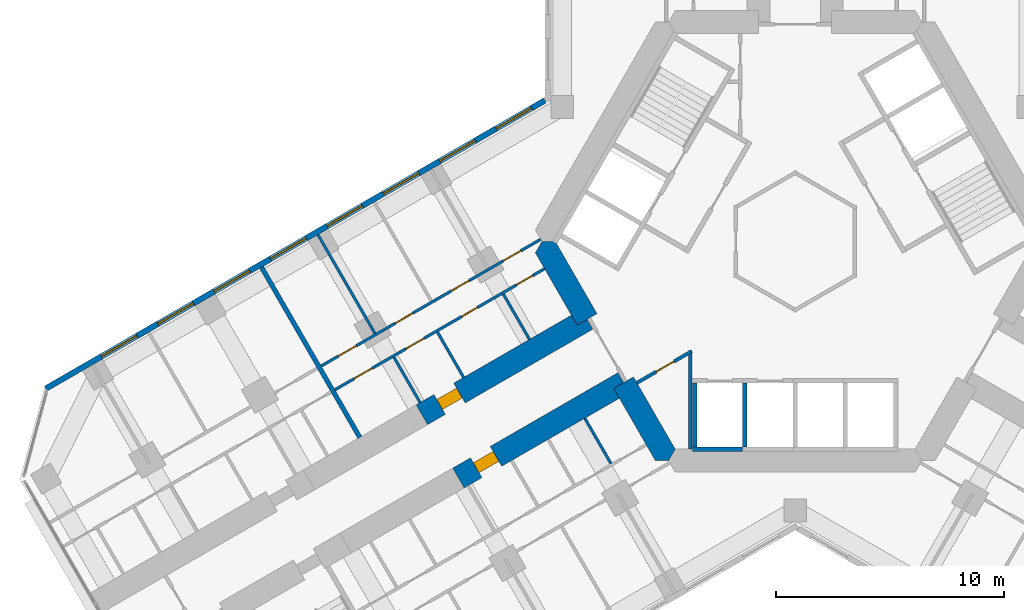
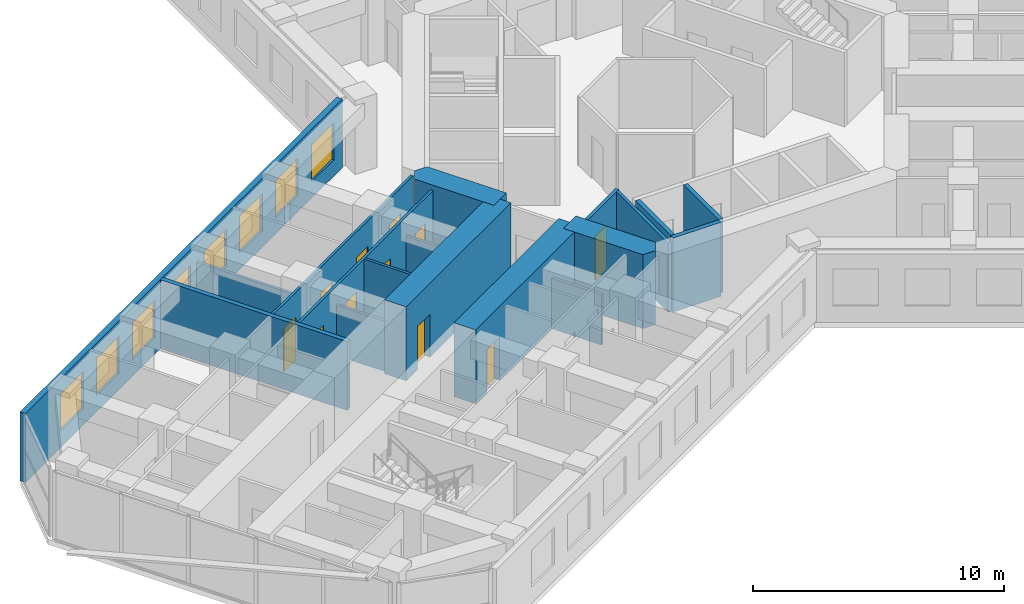
# One storey, part 12 of 21: 18 walls, 11 doors, 8 windows, 19 openings.
"""IFC4 building model written with IfcOpenShell, lengths in metres."""

import ifcopenshell
import ifcopenshell.guid

model = None  # the IFC model being written
_history = None  # IfcOwnerHistory: only IFC2X3 demands one
_inside = {}  # id of a spatial element -> (the spatial element, [elements in it])
_under = {}  # id of a project, library or spatial element -> (it, [spatial elements below it])
_declared = {}  # id of a project -> (the project, [libraries it declares])
_typed = {}  # id of a type object -> (the type object, [elements of that type])
_made_of = {}  # id of a material, layer set ... -> (it, [elements and type objects made of it])


def new_model(schema):
    """Start an empty IFC model of exactly this schema.

    Asked for "IFC4X3", IfcOpenShell would pick the latest addendum, in which some entities
    have other attributes; the version numbers below select the first issue.
    IFC2X3 requires an IfcOwnerHistory on every rooted entity: one is made here for all.
    """
    global model, _history
    if schema == "IFC4X3":
        model = ifcopenshell.file(schema_version=(4, 3, 0, 0))
    else:
        model = ifcopenshell.file(schema=schema)
    _inside.clear()
    _under.clear()
    _declared.clear()
    _typed.clear()
    _made_of.clear()
    _history = None
    if model.schema == "IFC2X3":
        org = make("IfcOrganization", Name="unknown")
        user = make(
            "IfcPersonAndOrganization",
            ThePerson=make("IfcPerson", FamilyName="unknown"),
            TheOrganization=org,
        )
        app = make(
            "IfcApplication",
            ApplicationDeveloper=org,
            Version="unknown",
            ApplicationFullName="unknown",
            ApplicationIdentifier="unknown",
        )
        _history = make(
            "IfcOwnerHistory",
            OwningUser=user,
            OwningApplication=app,
            ChangeAction="ADDED",
            CreationDate=0,
        )
    return model


def make(cls, **values):
    """One entity of the class cls with the attributes given. An attribute that is None is left unset."""
    return model.create_entity(
        cls, **{name: value for name, value in values.items() if value is not None}
    )


def rooted(cls, **values):
    """An entity with a GlobalId (a new one), such as an element, a storey or a relation."""
    return make(cls, GlobalId=ifcopenshell.guid.new(), OwnerHistory=_history, **values)


def si_unit(unit_type, name, prefix=None):
    """IfcSIUnit, for example si_unit("LENGTHUNIT", "METRE", prefix="MILLI")."""
    return make("IfcSIUnit", UnitType=unit_type, Prefix=prefix, Name=name)


def assignment(units):
    """IfcUnitAssignment: the units of a project."""
    return None if units is None else make("IfcUnitAssignment", Units=units)


def point(xyz):
    """IfcCartesianPoint."""
    return None if xyz is None else make("IfcCartesianPoint", Coordinates=xyz)


def direction(xyz):
    """IfcDirection."""
    return None if xyz is None else make("IfcDirection", DirectionRatios=xyz)


def frame(location, z_axis=None, x_axis=None):
    """IfcAxis2Placement3D, a coordinate frame: its origin and axes. An axis left out is left unset."""
    return make(
        "IfcAxis2Placement3D",
        Location=point(location),
        Axis=direction(z_axis),
        RefDirection=direction(x_axis),
    )


def frame_2d(location, x_axis=None):
    """IfcAxis2Placement2D, a coordinate frame in the plane: its origin and x axis."""
    return make(
        "IfcAxis2Placement2D", Location=point(location), RefDirection=direction(x_axis)
    )


def origin():
    """The frame at (0, 0, 0) with its axes left unset."""
    return frame((0.0, 0.0, 0.0))


def place(relative_to, where):
    """IfcLocalPlacement: puts the frame where relative to a parent placement (None: the world)."""
    return make(
        "IfcLocalPlacement", PlacementRelTo=relative_to, RelativePlacement=where
    )


def context(
    kind, dimensions, precision=None, world=None, true_north=None, identifier=None
):
    """IfcGeometricRepresentationContext, for example the 3D "Model" context."""
    return make(
        "IfcGeometricRepresentationContext",
        ContextIdentifier=identifier,
        ContextType=kind,
        CoordinateSpaceDimension=dimensions,
        Precision=precision,
        WorldCoordinateSystem=world,
        TrueNorth=true_north,
    )


def subcontext(parent, identifier, kind, view, scale=None):
    """IfcGeometricRepresentationSubContext, for example "Body" below "Model"."""
    return make(
        "IfcGeometricRepresentationSubContext",
        ContextIdentifier=identifier,
        ContextType=kind,
        ParentContext=parent,
        TargetScale=scale,
        TargetView=view,
    )


def project(units=None, contexts=None):
    """IfcProject with its units and contexts."""
    return rooted(
        "IfcProject",
        Name="project",
        RepresentationContexts=contexts,
        UnitsInContext=assignment(units),
    )


def spatial(cls, under=None, at=None, **own):
    """A site, building, storey or space (cls), placed at a placement, below another one or the project."""
    s = rooted(cls, ObjectPlacement=at, **own)
    if under is not None:
        _under.setdefault(under.id(), (under, []))[1].append(s)
    return s


def polyline(points):
    """IfcPolyline through the points."""
    return make("IfcPolyline", Points=[point(p) for p in points])


def profile(cls, at=None, kind="AREA", **sizes):
    """A parametric profile (cls). Its sizes go by their IFC names, for example OverallWidth=200.0."""
    return make(cls, ProfileType=kind, Position=at, **sizes)


def rectangle(**sizes):
    """IfcRectangleProfileDef."""
    return profile("IfcRectangleProfileDef", **sizes)


def outline(outer, holes=None, kind="AREA"):
    """IfcArbitraryClosedProfileDef: a profile drawn as a closed curve; with holes, ...WithVoids."""
    if holes is None:
        return make("IfcArbitraryClosedProfileDef", ProfileType=kind, OuterCurve=outer)
    return make(
        "IfcArbitraryProfileDefWithVoids",
        ProfileType=kind,
        OuterCurve=outer,
        InnerCurves=holes,
    )


def extrude(swept, where, along, depth):
    """IfcExtrudedAreaSolid: the profile swept, set in the frame where, extruded along a direction by depth."""
    return make(
        "IfcExtrudedAreaSolid",
        SweptArea=swept,
        Position=where,
        ExtrudedDirection=direction(along),
        Depth=depth,
    )


def shape(context_of_items, identifier, shape_type, items):
    """IfcShapeRepresentation: the items that make up one representation, for example the "Body"."""
    return make(
        "IfcShapeRepresentation",
        ContextOfItems=context_of_items,
        RepresentationIdentifier=identifier,
        RepresentationType=shape_type,
        Items=items,
    )


def material(Name=None, Category=None):
    """IfcMaterial."""
    return make("IfcMaterial", Name=Name, Category=Category)


def layer(
    of_material, thickness, ventilated=None, Name=None, Category=None, Priority=None
):
    """IfcMaterialLayer: one layer of a wall or slab, of a material (None: an air gap)."""
    return make(
        "IfcMaterialLayer",
        Material=of_material,
        LayerThickness=thickness,
        IsVentilated=ventilated,
        Name=Name,
        Category=Category,
        Priority=Priority,
    )


def layer_set(layers, Name=None):
    """IfcMaterialLayerSet."""
    return make("IfcMaterialLayerSet", MaterialLayers=layers, LayerSetName=Name)


def made_of(thing, what):
    """Note that an element or type object is made of a material, layer set ...; save() writes the relation."""
    if what is not None:
        _made_of.setdefault(what.id(), (what, []))[1].append(thing)
    return thing


def type_object(cls, material=None, **own):
    """A type object (cls), such as IfcWallType, which elements share."""
    return made_of(rooted(cls, **own), material)


def element(
    cls,
    number,
    at=None,
    inside=None,
    cuts=None,
    type_object=None,
    material=None,
    context=None,
    identifier="Body",
    shape_type=None,
    held_by="IfcProductDefinitionShape",
    body=None,
    shapes=None,
    **own,
):
    """One element of the class cls, such as IfcWall. Its Tag is "e" and its number.

    at: its placement. inside: the storey or other place that contains it. cuts: it is an
    opening in that element (IfcRelVoidsElement). A single representation is given by context,
    identifier, shape_type and body (its items); several are given by shapes. held_by: the class
    of the entity that holds the representations. save() writes the other relations.
    """
    e = rooted(cls, Tag="e%d" % number, ObjectPlacement=at, **own)
    if body is not None:
        shapes = [shape(context, identifier, shape_type, body)]
    if shapes is not None:
        e.Representation = make(held_by, Representations=shapes)
    if inside is not None:
        _inside.setdefault(inside.id(), (inside, []))[1].append(e)
    if cuts is not None:
        rooted(
            "IfcRelVoidsElement", RelatingBuildingElement=cuts, RelatedOpeningElement=e
        )
    if type_object is not None:
        _typed.setdefault(type_object.id(), (type_object, []))[1].append(e)
    return made_of(e, material)


def fill(opening, filler):
    """IfcRelFillsElement: the door or window that sits in an opening."""
    return rooted(
        "IfcRelFillsElement",
        RelatingOpeningElement=opening,
        RelatedBuildingElement=filler,
    )


def aggregate(whole, parts):
    """IfcRelAggregates: a whole, such as a stair, and the parts it consists of."""
    return rooted("IfcRelAggregates", RelatingObject=whole, RelatedObjects=parts)


def save(model, path):
    """Write the relations noted so far, then the file.

    IfcRelAggregates (storeys below a building ...), IfcRelContainedInSpatialStructure (elements
    in a storey), IfcRelDefinesByType, IfcRelAssociatesMaterial and IfcRelDeclares: one each for
    every whole, place, type object, material and project.
    """
    for whole, parts in _under.values():
        aggregate(whole, parts)
    for where, things in _inside.values():
        rooted(
            "IfcRelContainedInSpatialStructure",
            RelatedElements=things,
            RelatingStructure=where,
        )
    for kind, things in _typed.values():
        rooted("IfcRelDefinesByType", RelatedObjects=things, RelatingType=kind)
    for what, things in _made_of.values():
        rooted("IfcRelAssociatesMaterial", RelatedObjects=things, RelatingMaterial=what)
    for by, libraries in _declared.values():
        rooted("IfcRelDeclares", RelatingContext=by, RelatedDefinitions=libraries)
    model.write(path)


model = new_model("IFC4")

# Units and contexts
model_context = context("Model", 3, precision=1e-05, world=origin(), true_north=direction((0.0, 1.0)))
body_context = subcontext(model_context, "Body", "Model", "MODEL_VIEW")
ifc_project = project(units=[si_unit("LENGTHUNIT", "METRE"), si_unit("AREAUNIT", "SQUARE_METRE"), si_unit("VOLUMEUNIT", "CUBIC_METRE"), si_unit("PLANEANGLEUNIT", "RADIAN"), si_unit("MASSUNIT", "GRAM", prefix="KILO")], contexts=[model_context])

# Site, building, storey
site_placement = place(None, origin())
site = spatial("IfcSite", under=ifc_project, at=site_placement, CompositionType="ELEMENT")
building_placement = place(site_placement, origin())
building = spatial("IfcBuilding", under=site, at=building_placement, Name="Kosmar Iwan School Tower", CompositionType="ELEMENT")
storey_placement = place(building_placement, frame((0.0, 0.0, 68.199951171875)))
storey = spatial("IfcBuildingStorey", under=building, at=storey_placement, Name="L16", CompositionType="ELEMENT", Elevation=68.199951171875)

# Wall, opening, door
ifc_material_1 = material(Name="Gypsum board on steel studs, fire-rated", Category="steel")
ifc_layer_1 = layer(ifc_material_1, 0.14990234375)
ifc_layer_set_1 = layer_set([ifc_layer_1], Name="Core room partition 150")
wall_type_1 = type_object("IfcWallType", Name="Core room partition 150", PredefinedType="PARTITIONING", material=ifc_layer_set_1)
wall_1_placement = place(storey_placement, frame((-6.930908203125, -6.195556640625, 0.0), z_axis=(0.0, 0.0, 1.0), x_axis=(0.866007755774, 0.500030566006, 0.0)))
wall_1 = element("IfcWall", 1, at=wall_1_placement, inside=storey, type_object=wall_type_1, Name="Core room partition L16-CW10", PredefinedType="PARTITIONING", context=body_context, shape_type="SweptSolid", body=[
    extrude(rectangle(XDim=2.766357421875, YDim=0.14990234375, at=frame_2d((1.38330078125, 0.0))), origin(), (0.0, 0.0, 1.0), 3.35009765625),
])
opening_1_placement = place(wall_1_placement, frame((0.97607421875, 0.0, 0.0)))
opening_1 = element("IfcOpeningElement", 2, at=opening_1_placement, cuts=wall_1, Name="Opening D14", PredefinedType="OPENING", context=body_context, shape_type="SweptSolid", body=[
    extrude(rectangle(XDim=0.89990234375, YDim=2.10009765625, at=frame_2d((0.449951171875, 1.050048828125))), frame((0.0, 0.0869140625, 0.0), z_axis=(0.0, -1.0, 0.0), x_axis=(1.0, 0.0, 0.0)), (0.0, 0.0, 1.0), 0.173828125),
])
ifc_material_2 = material(Name="Timber fire door in steel frame", Category="steel")
door_type_1 = type_object("IfcDoorType", Name="Core room door 900x2100", OperationType="SINGLE_SWING_LEFT", PredefinedType="DOOR", material=ifc_material_2)
door_1_placement = place(opening_1_placement, origin())
door_1 = element("IfcDoor", 3, at=door_1_placement, inside=storey, type_object=door_type_1, Name="Linen store door L16 4", OperationType="SINGLE_SWING_RIGHT", OverallHeight=2.10009765625, OverallWidth=0.89990234375, PredefinedType="DOOR", context=body_context, shape_type="SweptSolid", body=[
    extrude(rectangle(XDim=0.89990234375, YDim=2.10009765625, at=frame_2d((0.449951171875, 1.050048828125))), frame((0.0, 0.02490234375, 0.0), z_axis=(0.0, -1.0, 0.0), x_axis=(1.0, 0.0, 0.0)), (0.0, 0.0, 1.0), 0.050048828125),
])
fill(opening_1, door_1)

# Walls
wall_2_placement = place(storey_placement, frame((-4.60009765625, -4.774658203125, 0.0), z_axis=(0.0, 0.0, 1.0), x_axis=(0.0, -1.0, 0.0)))
element("IfcWall", 4, at=wall_2_placement, inside=storey, type_object=wall_type_1, Name="Core room partition L16-CW11", PredefinedType="PARTITIONING", context=body_context, shape_type="SweptSolid", body=[
    extrude(rectangle(XDim=4.3203125, YDim=0.14990234375, at=frame_2d((2.16015625, 0.0))), origin(), (0.0, 0.0, 1.0), 3.35009765625),
])
ifc_material_3 = material(Name="Concrete C50/60", Category="concrete")
ifc_layer_2 = layer(ifc_material_3, 1.0)
ifc_layer_set_2 = layer_set([ifc_layer_2], Name="Core wall 1000")
wall_type_2 = type_object("IfcWallType", Name="Core wall 1000", PredefinedType="SHEAR", material=ifc_layer_set_2)
wall_3_placement = place(storey_placement, origin())
element("IfcWall", 5, at=wall_3_placement, inside=storey, type_object=wall_type_2, Name="Core wall F210a", PredefinedType="SHEAR", context=body_context, shape_type="SweptSolid", body=[
    extrude(outline(polyline([(-9.546875, -3.664306640625), (-8.680908203125, -3.164306640625), (-10.5078125, 0.0), (-11.085205078125, 0.0), (-11.373779296875, -0.5), (-9.546875, -3.664306640625)])), origin(), (0.0, 0.0, 1.0), 3.60009765625),
])
wall_4_placement = place(storey_placement, origin())
element("IfcWall", 6, at=wall_4_placement, inside=storey, type_object=wall_type_2, Name="Core wall F210b", PredefinedType="SHEAR", context=body_context, shape_type="SweptSolid", body=[
    extrude(outline(polyline([(-6.119873046875, -9.60009765625), (-5.54248046875, -9.60009765625), (-5.25390625, -9.10009765625), (-7.080810546875, -5.935546875), (-7.94677734375, -6.435546875), (-6.119873046875, -9.60009765625)])), origin(), (0.0, 0.0, 1.0), 3.60009765625),
])

# Wall, opening, door
ifc_material_4 = material(Name="Concrete C50/60", Category="concrete")
ifc_layer_3 = layer(ifc_material_4, 1.0)
ifc_layer_set_3 = layer_set([ifc_layer_3], Name="Corridor buttress wall 1000")
wall_type_3 = type_object("IfcWallType", Name="Corridor buttress wall 1000", PredefinedType="SHEAR", material=ifc_layer_set_3)
wall_5_placement = place(storey_placement, frame((-7.513916015625, -6.185546875, 0.0), z_axis=(0.0, 0.0, 1.0), x_axis=(-0.866019549707, -0.500010139422, 0.0)))
wall_5 = element("IfcWall", 7, at=wall_5_placement, inside=storey, type_object=wall_type_3, Name="Corridor wall BL", PredefinedType="SHEAR", context=body_context, shape_type="SweptSolid", body=[
    extrude(rectangle(XDim=8.349853515625, YDim=1.0, at=frame_2d((4.1748046875, 0.0))), origin(), (0.0, 0.0, 1.0), 3.60009765625),
])
opening_2_placement = place(wall_5_placement, frame((6.449951171875, 0.0, 0.0)))
opening_2 = element("IfcOpeningElement", 8, at=opening_2_placement, cuts=wall_5, Name="Opening D1", PredefinedType="OPENING", context=body_context, shape_type="SweptSolid", body=[
    extrude(rectangle(XDim=1.0, YDim=2.10009765625, at=frame_2d((0.5, 1.050048828125))), frame((0.0, 0.511962890625, 0.0), z_axis=(0.0, -1.0, 0.0), x_axis=(1.0, 0.0, 0.0)), (0.0, 0.0, 1.0), 1.02392578125),
])
ifc_material_5 = material(Name="Timber fire door in steel frame", Category="steel")
door_type_2 = type_object("IfcDoorType", Name="Flat entrance door 1000x2100", OperationType="SINGLE_SWING_LEFT", PredefinedType="DOOR", material=ifc_material_5)
door_2_placement = place(opening_2_placement, origin())
door_2 = element("IfcDoor", 9, at=door_2_placement, inside=storey, type_object=door_type_2, Name="Flat L16-BL1 entrance door", OperationType="SINGLE_SWING_LEFT", OverallHeight=2.10009765625, OverallWidth=1.0, PredefinedType="DOOR", context=body_context, shape_type="SweptSolid", body=[
    extrude(rectangle(XDim=1.0, YDim=2.10009765625, at=frame_2d((0.5, 1.050048828125))), frame((0.0, 0.25, 0.0), z_axis=(0.0, -1.0, 0.0), x_axis=(1.0, 0.0, 0.0)), (0.0, 0.0, 1.0), 0.5),
])
fill(opening_2, door_2)

wall_6_placement = place(storey_placement, frame((-9.11376953125, -3.414306640625, 0.0), z_axis=(0.0, 0.0, 1.0), x_axis=(-0.866026859388, -0.499997478812, 0.0)))
wall_6 = element("IfcWall", 10, at=wall_6_placement, inside=storey, type_object=wall_type_3, Name="Corridor wall BR", PredefinedType="SHEAR", context=body_context, shape_type="SweptSolid", body=[
    extrude(rectangle(XDim=8.35009765625, YDim=1.0, at=frame_2d((4.175048828125, 0.0))), origin(), (0.0, 0.0, 1.0), 3.60009765625),
])
opening_3_placement = place(wall_6_placement, frame((6.449951171875, 0.0, 0.0)))
opening_3 = element("IfcOpeningElement", 11, at=opening_3_placement, cuts=wall_6, Name="Opening D1", PredefinedType="OPENING", context=body_context, shape_type="SweptSolid", body=[
    extrude(rectangle(XDim=1.0, YDim=2.10009765625, at=frame_2d((0.5, 1.050048828125))), frame((0.0, 0.511962890625, 0.0), z_axis=(0.0, -1.0, 0.0), x_axis=(1.0, 0.0, 0.0)), (0.0, 0.0, 1.0), 1.02392578125),
])
door_3_placement = place(opening_3_placement, origin())
door_3 = element("IfcDoor", 12, at=door_3_placement, inside=storey, type_object=door_type_2, Name="Flat L16-BR1 entrance door", OperationType="SINGLE_SWING_RIGHT", OverallHeight=2.10009765625, OverallWidth=1.0, PredefinedType="DOOR", context=body_context, shape_type="SweptSolid", body=[
    extrude(rectangle(XDim=1.0, YDim=2.10009765625, at=frame_2d((0.5, 1.050048828125))), frame((0.0, 0.25, 0.0), z_axis=(0.0, -1.0, 0.0), x_axis=(1.0, 0.0, 0.0)), (0.0, 0.0, 1.0), 0.5),
])
fill(opening_3, door_3)

# Wall
ifc_material_6 = material(Name="Gypsum board on steel studs", Category="steel")
ifc_layer_4 = layer(ifc_material_6, 0.1201171875)
ifc_layer_set_4 = layer_set([ifc_layer_4], Name="Dwelling partition 120")
wall_type_4 = type_object("IfcWallType", Name="Dwelling partition 120", PredefinedType="PARTITIONING", material=ifc_layer_set_4)
wall_7_placement = place(storey_placement, frame((-9.21240234375, -7.74365234375, 0.0), z_axis=(0.0, 0.0, 1.0), x_axis=(0.500014693593, -0.866016920268, 0.0)))
element("IfcWall", 13, at=wall_7_placement, inside=storey, type_object=wall_type_4, Name="Partition L16-BL1-Y1", PredefinedType="PARTITIONING", context=body_context, shape_type="SweptSolid", body=[
    extrude(rectangle(XDim=2.2900390625, YDim=0.1201171875, at=frame_2d((1.14501953125, 0.0))), origin(), (0.0, 0.0, 1.0), 2.449951171875),
])

# Wall, openings, doors
wall_8_placement = place(storey_placement, frame((-10.971923828125, -1.1962890625, 0.0), z_axis=(0.0, 0.0, 1.0), x_axis=(-0.866034853001, -0.49998363312, 0.0)))
wall_8 = element("IfcWall", 14, at=wall_8_placement, inside=storey, type_object=wall_type_4, Name="Partition L16-BR1-W1", PredefinedType="PARTITIONING", context=body_context, shape_type="SweptSolid", body=[
    extrude(rectangle(XDim=10.599853515625, YDim=0.1201171875, at=frame_2d((5.2998046875, 0.0))), origin(), (0.0, 0.0, 1.0), 3.35009765625),
])
opening_4_placement = place(wall_8_placement, frame((0.610107421875, 0.0, 0.0)))
opening_4 = element("IfcOpeningElement", 15, at=opening_4_placement, cuts=wall_8, Name="Opening D3", PredefinedType="OPENING", context=body_context, shape_type="SweptSolid", body=[
    extrude(rectangle(XDim=0.800048828125, YDim=2.10009765625, at=frame_2d((0.39990234375, 1.050048828125))), frame((0.0, 0.072021484375, 0.0), z_axis=(0.0, -1.0, 0.0), x_axis=(1.0, 0.0, 0.0)), (0.0, 0.0, 1.0), 0.14404296875),
])
opening_5_placement = place(wall_8_placement, frame((3.385009765625, 0.0, 0.0)))
opening_5 = element("IfcOpeningElement", 16, at=opening_5_placement, cuts=wall_8, Name="Opening D3", PredefinedType="OPENING", context=body_context, shape_type="SweptSolid", body=[
    extrude(rectangle(XDim=0.800048828125, YDim=2.10009765625, at=frame_2d((0.39990234375, 1.050048828125))), frame((0.0, 0.072021484375, 0.0), z_axis=(0.0, -1.0, 0.0), x_axis=(1.0, 0.0, 0.0)), (0.0, 0.0, 1.0), 0.14404296875),
])
opening_6_placement = place(wall_8_placement, frame((6.10009765625, 0.0, 0.0)))
opening_6 = element("IfcOpeningElement", 17, at=opening_6_placement, cuts=wall_8, Name="Opening D2", PredefinedType="OPENING", context=body_context, shape_type="SweptSolid", body=[
    extrude(rectangle(XDim=0.89990234375, YDim=2.10009765625, at=frame_2d((0.449951171875, 1.050048828125))), frame((0.0, 0.072021484375, 0.0), z_axis=(0.0, -1.0, 0.0), x_axis=(1.0, 0.0, 0.0)), (0.0, 0.0, 1.0), 0.14404296875),
])
opening_7_placement = place(wall_8_placement, frame((8.72509765625, 0.0, 0.0)))
opening_7 = element("IfcOpeningElement", 18, at=opening_7_placement, cuts=wall_8, Name="Opening D2", PredefinedType="OPENING", context=body_context, shape_type="SweptSolid", body=[
    extrude(rectangle(XDim=0.89990234375, YDim=2.10009765625, at=frame_2d((0.449951171875, 1.050048828125))), frame((0.0, 0.072021484375, 0.0), z_axis=(0.0, -1.0, 0.0), x_axis=(1.0, 0.0, 0.0)), (0.0, 0.0, 1.0), 0.14404296875),
])
ifc_material_7 = material(Name="Timber door in timber frame", Category="wood")
door_type_3 = type_object("IfcDoorType", Name="Internal door 900x2100", OperationType="SINGLE_SWING_LEFT", PredefinedType="DOOR", material=ifc_material_7)
door_4_placement = place(opening_6_placement, origin())
door_4 = element("IfcDoor", 19, at=door_4_placement, inside=storey, type_object=door_type_3, Name="Entrance hall door L16-BR1-S3", OperationType="SINGLE_SWING_LEFT", OverallHeight=2.10009765625, OverallWidth=0.89990234375, PredefinedType="DOOR", context=body_context, shape_type="SweptSolid", body=[
    extrude(rectangle(XDim=0.89990234375, YDim=2.10009765625, at=frame_2d((0.449951171875, 1.050048828125))), frame((0.0, 0.02490234375, 0.0), z_axis=(0.0, -1.0, 0.0), x_axis=(1.0, 0.0, 0.0)), (0.0, 0.0, 1.0), 0.050048828125),
])
fill(opening_6, door_4)
door_5_placement = place(opening_7_placement, origin())
door_5 = element("IfcDoor", 20, at=door_5_placement, inside=storey, type_object=door_type_3, Name="Pantry door L16-BR1-S4", OperationType="SINGLE_SWING_RIGHT", OverallHeight=2.10009765625, OverallWidth=0.89990234375, PredefinedType="DOOR", context=body_context, shape_type="SweptSolid", body=[
    extrude(rectangle(XDim=0.89990234375, YDim=2.10009765625, at=frame_2d((0.449951171875, 1.050048828125))), frame((0.0, 0.02490234375, 0.0), z_axis=(0.0, -1.0, 0.0), x_axis=(1.0, 0.0, 0.0)), (0.0, 0.0, 1.0), 0.050048828125),
])
fill(opening_7, door_5)
ifc_material_8 = material(Name="Timber door in timber frame", Category="wood")
door_type_4 = type_object("IfcDoorType", Name="Sanitary room door 800x2100", OperationType="SINGLE_SWING_LEFT", PredefinedType="DOOR", material=ifc_material_8)
door_6_placement = place(opening_4_placement, origin())
door_6 = element("IfcDoor", 21, at=door_6_placement, inside=storey, type_object=door_type_4, Name="Shower room door L16-BR1-S1", OperationType="SINGLE_SWING_LEFT", OverallHeight=2.10009765625, OverallWidth=0.800048828125, PredefinedType="DOOR", context=body_context, shape_type="SweptSolid", body=[
    extrude(rectangle(XDim=0.800048828125, YDim=2.10009765625, at=frame_2d((0.39990234375, 1.050048828125))), frame((0.0, 0.02490234375, 0.0), z_axis=(0.0, -1.0, 0.0), x_axis=(1.0, 0.0, 0.0)), (0.0, 0.0, 1.0), 0.050048828125),
])
fill(opening_4, door_6)
door_7_placement = place(opening_5_placement, origin())
door_7 = element("IfcDoor", 22, at=door_7_placement, inside=storey, type_object=door_type_4, Name="Bathroom door L16-BR1-S2", OperationType="SINGLE_SWING_RIGHT", OverallHeight=2.10009765625, OverallWidth=0.800048828125, PredefinedType="DOOR", context=body_context, shape_type="SweptSolid", body=[
    extrude(rectangle(XDim=0.800048828125, YDim=2.10009765625, at=frame_2d((0.39990234375, 1.050048828125))), frame((0.0, 0.02490234375, 0.0), z_axis=(0.0, -1.0, 0.0), x_axis=(1.0, 0.0, 0.0)), (0.0, 0.0, 1.0), 0.050048828125),
])
fill(opening_5, door_7)

wall_9_placement = place(storey_placement, frame((-11.138916015625, 0.093017578125, 0.0), z_axis=(0.0, 0.0, 1.0), x_axis=(-0.866021494144, -0.500006771635, 0.0)))
wall_9 = element("IfcWall", 23, at=wall_9_placement, inside=storey, type_object=wall_type_4, Name="Partition L16-BR1-W2", PredefinedType="PARTITIONING", context=body_context, shape_type="SweptSolid", body=[
    extrude(rectangle(XDim=11.099853515625, YDim=0.1201171875, at=frame_2d((5.5498046875, 0.0))), origin(), (0.0, 0.0, 1.0), 3.35009765625),
])
opening_8_placement = place(wall_9_placement, frame((1.0, 0.0, 0.0)))
opening_8 = element("IfcOpeningElement", 24, at=opening_8_placement, cuts=wall_9, Name="Opening D2", PredefinedType="OPENING", context=body_context, shape_type="SweptSolid", body=[
    extrude(rectangle(XDim=0.89990234375, YDim=2.10009765625, at=frame_2d((0.449951171875, 1.050048828125))), frame((0.0, 0.072021484375, 0.0), z_axis=(0.0, -1.0, 0.0), x_axis=(1.0, 0.0, 0.0)), (0.0, 0.0, 1.0), 0.14404296875),
])
opening_9_placement = place(wall_9_placement, frame((3.625, 0.0, 0.0)))
opening_9 = element("IfcOpeningElement", 25, at=opening_9_placement, cuts=wall_9, Name="Opening D2", PredefinedType="OPENING", context=body_context, shape_type="SweptSolid", body=[
    extrude(rectangle(XDim=0.89990234375, YDim=2.10009765625, at=frame_2d((0.449951171875, 1.050048828125))), frame((0.0, 0.072021484375, 0.0), z_axis=(0.0, -1.0, 0.0), x_axis=(1.0, 0.0, 0.0)), (0.0, 0.0, 1.0), 0.14404296875),
])
opening_10_placement = place(wall_9_placement, frame((6.47509765625, 0.0, 0.0)))
opening_10 = element("IfcOpeningElement", 26, at=opening_10_placement, cuts=wall_9, Name="Opening D2", PredefinedType="OPENING", context=body_context, shape_type="SweptSolid", body=[
    extrude(rectangle(XDim=0.89990234375, YDim=2.10009765625, at=frame_2d((0.449951171875, 1.050048828125))), frame((0.0, 0.072021484375, 0.0), z_axis=(0.0, -1.0, 0.0), x_axis=(1.0, 0.0, 0.0)), (0.0, 0.0, 1.0), 0.14404296875),
])
opening_11_placement = place(wall_9_placement, frame((9.324951171875, 0.0, 0.0)))
opening_11 = element("IfcOpeningElement", 27, at=opening_11_placement, cuts=wall_9, Name="Opening D2", PredefinedType="OPENING", context=body_context, shape_type="SweptSolid", body=[
    extrude(rectangle(XDim=0.89990234375, YDim=2.10009765625, at=frame_2d((0.449951171875, 1.050048828125))), frame((0.0, 0.072021484375, 0.0), z_axis=(0.0, -1.0, 0.0), x_axis=(1.0, 0.0, 0.0)), (0.0, 0.0, 1.0), 0.14404296875),
])
door_8_placement = place(opening_8_placement, origin())
door_8 = element("IfcDoor", 28, at=door_8_placement, inside=storey, type_object=door_type_3, Name="Living room and kitchen door L16-BR1-F1", OperationType="SINGLE_SWING_LEFT", OverallHeight=2.10009765625, OverallWidth=0.89990234375, PredefinedType="DOOR", context=body_context, shape_type="SweptSolid", body=[
    extrude(rectangle(XDim=0.89990234375, YDim=2.10009765625, at=frame_2d((0.449951171875, 1.050048828125))), frame((0.0, 0.02490234375, 0.0), z_axis=(0.0, -1.0, 0.0), x_axis=(1.0, 0.0, 0.0)), (0.0, 0.0, 1.0), 0.050048828125),
])
fill(opening_8, door_8)
door_9_placement = place(opening_9_placement, origin())
door_9 = element("IfcDoor", 29, at=door_9_placement, inside=storey, type_object=door_type_3, Name="Study door L16-BR1-F2", OperationType="SINGLE_SWING_LEFT", OverallHeight=2.10009765625, OverallWidth=0.89990234375, PredefinedType="DOOR", context=body_context, shape_type="SweptSolid", body=[
    extrude(rectangle(XDim=0.89990234375, YDim=2.10009765625, at=frame_2d((0.449951171875, 1.050048828125))), frame((0.0, 0.02490234375, 0.0), z_axis=(0.0, -1.0, 0.0), x_axis=(1.0, 0.0, 0.0)), (0.0, 0.0, 1.0), 0.050048828125),
])
fill(opening_9, door_9)
door_10_placement = place(opening_10_placement, origin())
door_10 = element("IfcDoor", 30, at=door_10_placement, inside=storey, type_object=door_type_3, Name="Bedroom 1 door L16-BR1-F3", OperationType="SINGLE_SWING_RIGHT", OverallHeight=2.10009765625, OverallWidth=0.89990234375, PredefinedType="DOOR", context=body_context, shape_type="SweptSolid", body=[
    extrude(rectangle(XDim=0.89990234375, YDim=2.10009765625, at=frame_2d((0.449951171875, 1.050048828125))), frame((0.0, 0.02490234375, 0.0), z_axis=(0.0, -1.0, 0.0), x_axis=(1.0, 0.0, 0.0)), (0.0, 0.0, 1.0), 0.050048828125),
])
fill(opening_10, door_10)
door_11_placement = place(opening_11_placement, origin())
door_11 = element("IfcDoor", 31, at=door_11_placement, inside=storey, type_object=door_type_3, Name="Bedroom 2 door L16-BR1-F4", OperationType="SINGLE_SWING_RIGHT", OverallHeight=2.10009765625, OverallWidth=0.89990234375, PredefinedType="DOOR", context=body_context, shape_type="SweptSolid", body=[
    extrude(rectangle(XDim=0.89990234375, YDim=2.10009765625, at=frame_2d((0.449951171875, 1.050048828125))), frame((0.0, 0.02490234375, 0.0), z_axis=(0.0, -1.0, 0.0), x_axis=(1.0, 0.0, 0.0)), (0.0, 0.0, 1.0), 0.050048828125),
])
fill(opening_11, door_11)

# Walls
wall_10_placement = place(storey_placement, frame((-18.400146484375, -4.030029296875, 0.0), z_axis=(0.0, 0.0, 1.0), x_axis=(-0.500011847778, 0.866018563358, 0.0)))
element("IfcWall", 32, at=wall_10_placement, inside=storey, type_object=wall_type_4, Name="Partition L16-BR1-X3", PredefinedType="PARTITIONING", context=body_context, shape_type="SweptSolid", body=[
    extrude(rectangle(XDim=4.990234375, YDim=0.1201171875, at=frame_2d((2.4951171875, 0.0))), origin(), (0.0, 0.0, 1.0), 2.449951171875),
])
wall_11_placement = place(storey_placement, frame((-11.6328125, -4.291259765625, 0.0), z_axis=(0.0, 0.0, 1.0), x_axis=(-0.500014693593, 0.866016920268, 0.0)))
element("IfcWall", 33, at=wall_11_placement, inside=storey, type_object=wall_type_4, Name="Partition L16-BR1-Y1", PredefinedType="PARTITIONING", context=body_context, shape_type="SweptSolid", body=[
    extrude(rectangle(XDim=2.2900390625, YDim=0.1201171875, at=frame_2d((1.14501953125, 0.0))), origin(), (0.0, 0.0, 1.0), 2.449951171875),
])
wall_12_placement = place(storey_placement, frame((-14.5166015625, -5.956298828125, 0.0), z_axis=(0.0, 0.0, 1.0), x_axis=(-0.500014693593, 0.866016920268, 0.0)))
element("IfcWall", 34, at=wall_12_placement, inside=storey, type_object=wall_type_4, Name="Partition L16-BR1-Y2", PredefinedType="PARTITIONING", context=body_context, shape_type="SweptSolid", body=[
    extrude(rectangle(XDim=2.2900390625, YDim=0.1201171875, at=frame_2d((1.14501953125, 0.0))), origin(), (0.0, 0.0, 1.0), 3.35009765625),
])
wall_13_placement = place(storey_placement, frame((-16.421875, -7.056396484375, 0.0), z_axis=(0.0, 0.0, 1.0), x_axis=(-0.500014693593, 0.866016920268, 0.0)))
element("IfcWall", 35, at=wall_13_placement, inside=storey, type_object=wall_type_4, Name="Partition L16-BR1-Y3", PredefinedType="PARTITIONING", context=body_context, shape_type="SweptSolid", body=[
    extrude(rectangle(XDim=2.2900390625, YDim=0.1201171875, at=frame_2d((1.14501953125, 0.0))), origin(), (0.0, 0.0, 1.0), 2.449951171875),
])

# Wall, openings, windows
ifc_material_9 = material(Name="Black aluminium rainscreen on insulated framing", Category="aluminium")
ifc_layer_5 = layer(ifc_material_9, 0.25)
ifc_layer_set_5 = layer_set([ifc_layer_5], Name="External wall rainscreen 250")
wall_type_5 = type_object("IfcWallType", Name="External wall rainscreen 250", PredefinedType="SOLIDWALL", material=ifc_layer_set_5)
wall_14_placement = place(storey_placement, frame((-10.962890625, 6.170166015625, 0.0), z_axis=(0.0, 0.0, 1.0), x_axis=(-0.86602796634, -0.499995561497, 0.0)))
wall_14 = element("IfcWall", 36, at=wall_14_placement, inside=storey, type_object=wall_type_5, Name="External wall BR L16", PredefinedType="SOLIDWALL", context=body_context, shape_type="SweptSolid", body=[
    extrude(rectangle(XDim=25.226318359375, YDim=0.25, at=frame_2d((12.61328125, 0.0))), origin(), (0.0, 0.0, 1.0), 3.35009765625),
])
opening_12_placement = place(wall_14_placement, frame((0.666015625, 0.0, 0.800048828125)))
opening_12 = element("IfcOpeningElement", 37, at=opening_12_placement, cuts=wall_14, Name="Opening W1", PredefinedType="OPENING", context=body_context, shape_type="SweptSolid", body=[
    extrude(rectangle(XDim=1.800048828125, YDim=1.800048828125, at=frame_2d((0.89990234375, 0.89990234375))), frame((0.0, 0.136962890625, 0.0), z_axis=(0.0, -1.0, 0.0), x_axis=(1.0, 0.0, 0.0)), (0.0, 0.0, 1.0), 0.27392578125),
])
opening_13_placement = place(wall_14_placement, frame((3.51611328125, 0.0, 0.800048828125)))
opening_13 = element("IfcOpeningElement", 38, at=opening_13_placement, cuts=wall_14, Name="Opening W1", PredefinedType="OPENING", context=body_context, shape_type="SweptSolid", body=[
    extrude(rectangle(XDim=1.800048828125, YDim=1.800048828125, at=frame_2d((0.89990234375, 0.89990234375))), frame((0.0, 0.136962890625, 0.0), z_axis=(0.0, -1.0, 0.0), x_axis=(1.0, 0.0, 0.0)), (0.0, 0.0, 1.0), 0.27392578125),
])
opening_14_placement = place(wall_14_placement, frame((6.365966796875, 0.0, 0.800048828125)))
opening_14 = element("IfcOpeningElement", 39, at=opening_14_placement, cuts=wall_14, Name="Opening W1", PredefinedType="OPENING", context=body_context, shape_type="SweptSolid", body=[
    extrude(rectangle(XDim=1.800048828125, YDim=1.800048828125, at=frame_2d((0.89990234375, 0.89990234375))), frame((0.0, 0.136962890625, 0.0), z_axis=(0.0, -1.0, 0.0), x_axis=(1.0, 0.0, 0.0)), (0.0, 0.0, 1.0), 0.27392578125),
])
opening_15_placement = place(wall_14_placement, frame((9.216064453125, 0.0, 0.800048828125)))
opening_15 = element("IfcOpeningElement", 40, at=opening_15_placement, cuts=wall_14, Name="Opening W1", PredefinedType="OPENING", context=body_context, shape_type="SweptSolid", body=[
    extrude(rectangle(XDim=1.800048828125, YDim=1.800048828125, at=frame_2d((0.89990234375, 0.89990234375))), frame((0.0, 0.136962890625, 0.0), z_axis=(0.0, -1.0, 0.0), x_axis=(1.0, 0.0, 0.0)), (0.0, 0.0, 1.0), 0.27392578125),
])
opening_16_placement = place(wall_14_placement, frame((12.06591796875, 0.0, 0.800048828125)))
opening_16 = element("IfcOpeningElement", 41, at=opening_16_placement, cuts=wall_14, Name="Opening W1", PredefinedType="OPENING", context=body_context, shape_type="SweptSolid", body=[
    extrude(rectangle(XDim=1.800048828125, YDim=1.800048828125, at=frame_2d((0.89990234375, 0.89990234375))), frame((0.0, 0.136962890625, 0.0), z_axis=(0.0, -1.0, 0.0), x_axis=(1.0, 0.0, 0.0)), (0.0, 0.0, 1.0), 0.27392578125),
])
opening_17_placement = place(wall_14_placement, frame((14.916015625, 0.0, 0.800048828125)))
opening_17 = element("IfcOpeningElement", 42, at=opening_17_placement, cuts=wall_14, Name="Opening W1", PredefinedType="OPENING", context=body_context, shape_type="SweptSolid", body=[
    extrude(rectangle(XDim=1.800048828125, YDim=1.800048828125, at=frame_2d((0.89990234375, 0.89990234375))), frame((0.0, 0.136962890625, 0.0), z_axis=(0.0, -1.0, 0.0), x_axis=(1.0, 0.0, 0.0)), (0.0, 0.0, 1.0), 0.27392578125),
])
opening_18_placement = place(wall_14_placement, frame((17.76611328125, 0.0, 0.800048828125)))
opening_18 = element("IfcOpeningElement", 43, at=opening_18_placement, cuts=wall_14, Name="Opening W1", PredefinedType="OPENING", context=body_context, shape_type="SweptSolid", body=[
    extrude(rectangle(XDim=1.800048828125, YDim=1.800048828125, at=frame_2d((0.89990234375, 0.89990234375))), frame((0.0, 0.136962890625, 0.0), z_axis=(0.0, -1.0, 0.0), x_axis=(1.0, 0.0, 0.0)), (0.0, 0.0, 1.0), 0.27392578125),
])
opening_19_placement = place(wall_14_placement, frame((20.615966796875, 0.0, 0.800048828125)))
opening_19 = element("IfcOpeningElement", 44, at=opening_19_placement, cuts=wall_14, Name="Opening W1", PredefinedType="OPENING", context=body_context, shape_type="SweptSolid", body=[
    extrude(rectangle(XDim=1.800048828125, YDim=1.800048828125, at=frame_2d((0.89990234375, 0.89990234375))), frame((0.0, 0.136962890625, 0.0), z_axis=(0.0, -1.0, 0.0), x_axis=(1.0, 0.0, 0.0)), (0.0, 0.0, 1.0), 0.27392578125),
])
ifc_material_10 = material(Name="Black aluminium frame with dark triple glazing", Category="aluminium")
window_type = type_object("IfcWindowType", Name="Window 1800x1800", PartitioningType="SINGLE_PANEL", PredefinedType="WINDOW", material=ifc_material_10)
window_1_placement = place(opening_12_placement, origin())
window_1 = element("IfcWindow", 45, at=window_1_placement, inside=storey, type_object=window_type, Name="Window BR L16 -1", OverallHeight=1.800048828125, OverallWidth=1.800048828125, PartitioningType="SINGLE_PANEL", PredefinedType="WINDOW", context=body_context, shape_type="SweptSolid", body=[
    extrude(rectangle(XDim=1.800048828125, YDim=1.800048828125, at=frame_2d((0.89990234375, 0.89990234375))), frame((0.0, 0.030029296875, 0.0), z_axis=(0.0, -1.0, 0.0), x_axis=(1.0, 0.0, 0.0)), (0.0, 0.0, 1.0), 0.06005859375),
])
fill(opening_12, window_1)
window_2_placement = place(opening_13_placement, origin())
window_2 = element("IfcWindow", 46, at=window_2_placement, inside=storey, type_object=window_type, Name="Window BR L16 0", OverallHeight=1.800048828125, OverallWidth=1.800048828125, PartitioningType="SINGLE_PANEL", PredefinedType="WINDOW", context=body_context, shape_type="SweptSolid", body=[
    extrude(rectangle(XDim=1.800048828125, YDim=1.800048828125, at=frame_2d((0.89990234375, 0.89990234375))), frame((0.0, 0.030029296875, 0.0), z_axis=(0.0, -1.0, 0.0), x_axis=(1.0, 0.0, 0.0)), (0.0, 0.0, 1.0), 0.06005859375),
])
fill(opening_13, window_2)
window_3_placement = place(opening_14_placement, origin())
window_3 = element("IfcWindow", 47, at=window_3_placement, inside=storey, type_object=window_type, Name="Window BR L16 1", OverallHeight=1.800048828125, OverallWidth=1.800048828125, PartitioningType="SINGLE_PANEL", PredefinedType="WINDOW", context=body_context, shape_type="SweptSolid", body=[
    extrude(rectangle(XDim=1.800048828125, YDim=1.800048828125, at=frame_2d((0.89990234375, 0.89990234375))), frame((0.0, 0.030029296875, 0.0), z_axis=(0.0, -1.0, 0.0), x_axis=(1.0, 0.0, 0.0)), (0.0, 0.0, 1.0), 0.06005859375),
])
fill(opening_14, window_3)
window_4_placement = place(opening_15_placement, origin())
window_4 = element("IfcWindow", 48, at=window_4_placement, inside=storey, type_object=window_type, Name="Window BR L16 2", OverallHeight=1.800048828125, OverallWidth=1.800048828125, PartitioningType="SINGLE_PANEL", PredefinedType="WINDOW", context=body_context, shape_type="SweptSolid", body=[
    extrude(rectangle(XDim=1.800048828125, YDim=1.800048828125, at=frame_2d((0.89990234375, 0.89990234375))), frame((0.0, 0.030029296875, 0.0), z_axis=(0.0, -1.0, 0.0), x_axis=(1.0, 0.0, 0.0)), (0.0, 0.0, 1.0), 0.06005859375),
])
fill(opening_15, window_4)
window_5_placement = place(opening_16_placement, origin())
window_5 = element("IfcWindow", 49, at=window_5_placement, inside=storey, type_object=window_type, Name="Window BR L16 3", OverallHeight=1.800048828125, OverallWidth=1.800048828125, PartitioningType="SINGLE_PANEL", PredefinedType="WINDOW", context=body_context, shape_type="SweptSolid", body=[
    extrude(rectangle(XDim=1.800048828125, YDim=1.800048828125, at=frame_2d((0.89990234375, 0.89990234375))), frame((0.0, 0.030029296875, 0.0), z_axis=(0.0, -1.0, 0.0), x_axis=(1.0, 0.0, 0.0)), (0.0, 0.0, 1.0), 0.06005859375),
])
fill(opening_16, window_5)
window_6_placement = place(opening_17_placement, origin())
window_6 = element("IfcWindow", 50, at=window_6_placement, inside=storey, type_object=window_type, Name="Window BR L16 4", OverallHeight=1.800048828125, OverallWidth=1.800048828125, PartitioningType="SINGLE_PANEL", PredefinedType="WINDOW", context=body_context, shape_type="SweptSolid", body=[
    extrude(rectangle(XDim=1.800048828125, YDim=1.800048828125, at=frame_2d((0.89990234375, 0.89990234375))), frame((0.0, 0.030029296875, 0.0), z_axis=(0.0, -1.0, 0.0), x_axis=(1.0, 0.0, 0.0)), (0.0, 0.0, 1.0), 0.06005859375),
])
fill(opening_17, window_6)
window_7_placement = place(opening_18_placement, origin())
window_7 = element("IfcWindow", 51, at=window_7_placement, inside=storey, type_object=window_type, Name="Window BR L16 5", OverallHeight=1.800048828125, OverallWidth=1.800048828125, PartitioningType="SINGLE_PANEL", PredefinedType="WINDOW", context=body_context, shape_type="SweptSolid", body=[
    extrude(rectangle(XDim=1.800048828125, YDim=1.800048828125, at=frame_2d((0.89990234375, 0.89990234375))), frame((0.0, 0.030029296875, 0.0), z_axis=(0.0, -1.0, 0.0), x_axis=(1.0, 0.0, 0.0)), (0.0, 0.0, 1.0), 0.06005859375),
])
fill(opening_18, window_7)
window_8_placement = place(opening_19_placement, origin())
window_8 = element("IfcWindow", 52, at=window_8_placement, inside=storey, type_object=window_type, Name="Window BR L16 6", OverallHeight=1.800048828125, OverallWidth=1.800048828125, PartitioningType="SINGLE_PANEL", PredefinedType="WINDOW", context=body_context, shape_type="SweptSolid", body=[
    extrude(rectangle(XDim=1.800048828125, YDim=1.800048828125, at=frame_2d((0.89990234375, 0.89990234375))), frame((0.0, 0.030029296875, 0.0), z_axis=(0.0, -1.0, 0.0), x_axis=(1.0, 0.0, 0.0)), (0.0, 0.0, 1.0), 0.06005859375),
])
fill(opening_19, window_8)

# Walls
ifc_material_11 = material(Name="Concrete C50/60", Category="concrete")
ifc_layer_6 = layer(ifc_material_11, 0.199951171875)
ifc_layer_set_6 = layer_set([ifc_layer_6], Name="Lift shaft wall 200")
wall_type_6 = type_object("IfcWallType", Name="Lift shaft wall 200", PredefinedType="SHEAR", material=ifc_layer_set_6)
wall_15_placement = place(storey_placement, frame((-4.5, -9.10009765625, 0.0), z_axis=(0.0, 0.0, 1.0), x_axis=(1.0, 0.0, 0.0)))
element("IfcWall", 53, at=wall_15_placement, inside=storey, type_object=wall_type_6, Name="Lift and stair back wall BC", PredefinedType="SHEAR", context=body_context, shape_type="SweptSolid", body=[
    extrude(rectangle(XDim=2.199951171875, YDim=0.199951171875, at=frame_2d((1.10009765625, 0.0))), origin(), (0.0, 0.0, 1.0), 3.60009765625),
])
for number, where, z_axis, x_axis, name in (
    (54, (-4.39990234375, -6.199951171875, 0.0), (0.0, 0.0, 1.0), (0.0, -1.0, 0.0), "Lift shaft wall BC 0"),
    (55, (-2.199951171875, -6.199951171875, 0.0), (0.0, 0.0, 1.0), (0.0, -1.0, 0.0), "Lift shaft wall BC 1"),
):
    element("IfcWall", number, at=place(storey_placement, frame(where, z_axis=z_axis, x_axis=x_axis)), inside=storey, type_object=wall_type_6, Name=name, PredefinedType="SHEAR", context=body_context, shape_type="SweptSolid", body=[
        extrude(rectangle(XDim=2.800048828125, YDim=0.199951171875, at=frame_2d((1.39990234375, 0.0))), origin(), (0.0, 0.0, 1.0), 3.60009765625),
    ])
ifc_material_12 = material(Name="Concrete block masonry", Category="masonry")
ifc_layer_7 = layer(ifc_material_12, 0.199951171875)
ifc_layer_set_7 = layer_set([ifc_layer_7], Name="Party wall 200")
wall_type_7 = type_object("IfcWallType", Name="Party wall 200", PredefinedType="PARTITIONING", material=ifc_layer_set_7)
wall_16_placement = place(storey_placement, frame((-19.063232421875, -8.581298828125, 0.0), z_axis=(0.0, 0.0, 1.0), x_axis=(-0.500007509209, 0.866021068297, 0.0)))
element("IfcWall", 56, at=wall_16_placement, inside=storey, type_object=wall_type_7, Name="Partition L16-BR2-PW", PredefinedType="PARTITIONING", context=body_context, shape_type="SweptSolid", body=[
    extrude(rectangle(XDim=8.599853515625, YDim=0.199951171875, at=frame_2d((4.2998046875, 0.0))), origin(), (0.0, 0.0, 1.0), 3.35009765625),
])

save(model, "model.ifc")
